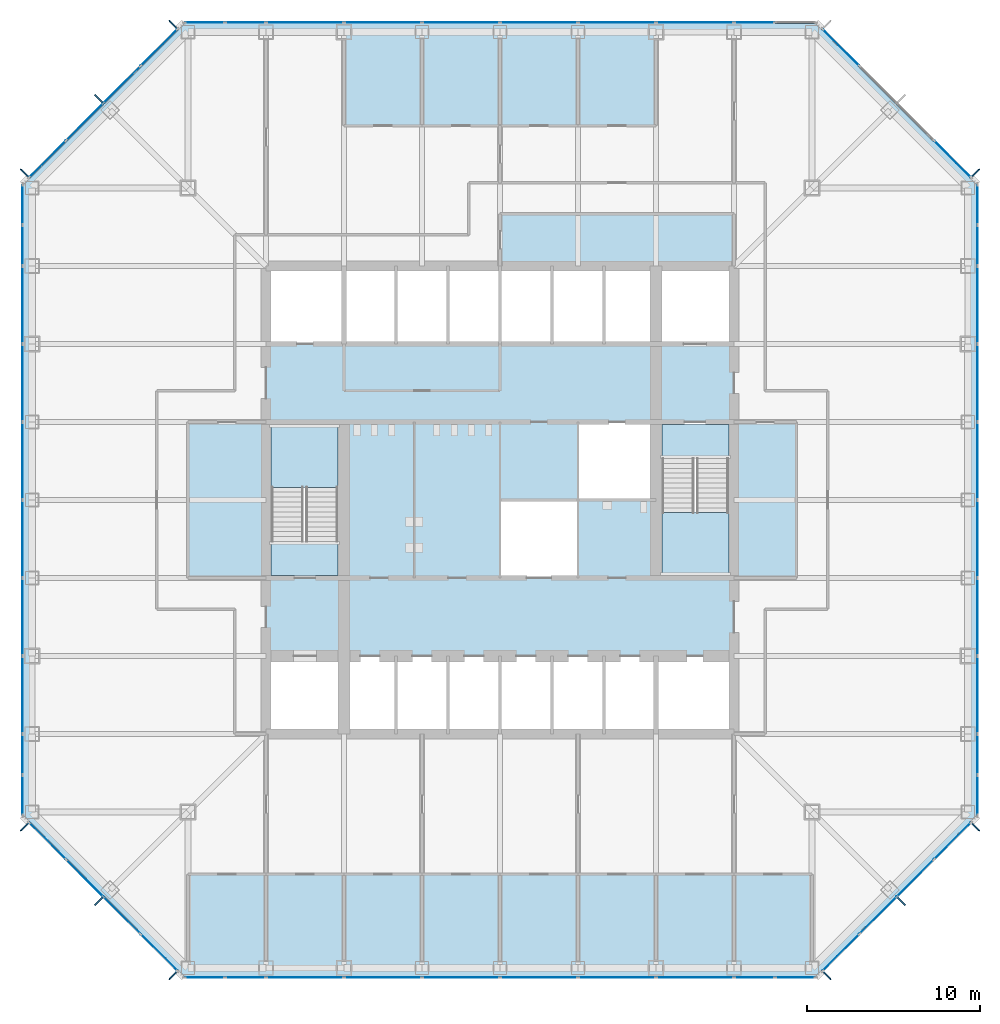
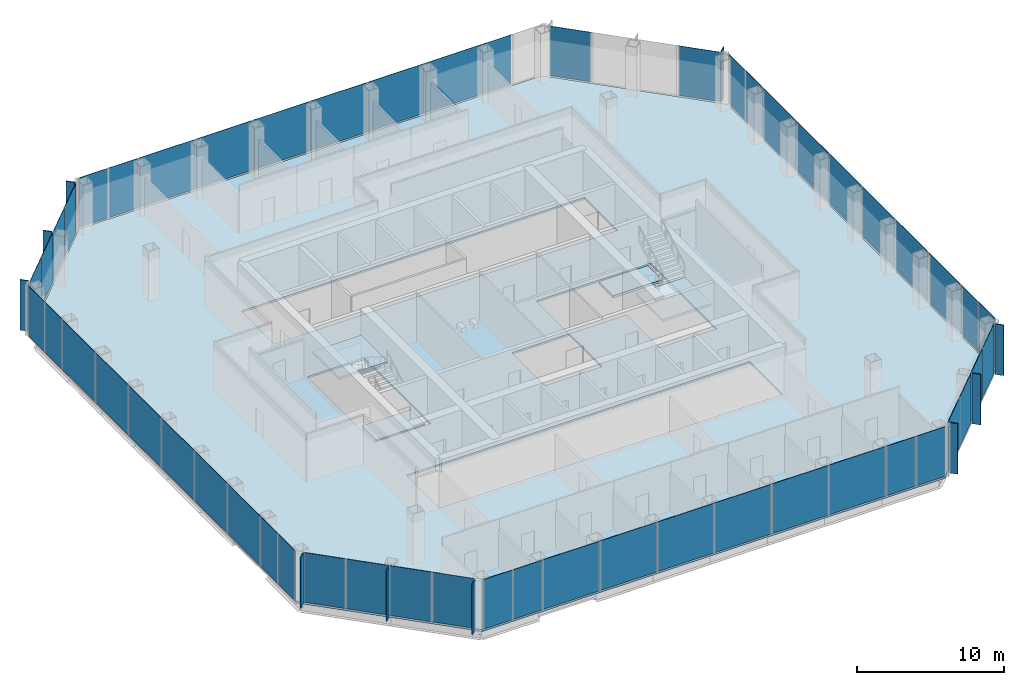
# One storey, part 7 of 13: 63 plates, 5 slabs, 10 elements without a shape of their own.
"""IFC4 building model written with IfcOpenShell, lengths in metres."""

from ifc_helpers import new_model, si_unit, direction, frame, origin, origin_2d, place, context, subcontext, project, spatial, polyline, rectangle, outline, extrude, material, layer, layer_set, type_object, element, aggregate, save


model = new_model("IFC4")

# Units and contexts
model_context = context("Model", 3, precision=1e-05, world=origin(), true_north=direction((0.0, 1.0)))
body_context = subcontext(model_context, "Body", "Model", "MODEL_VIEW")
ifc_project = project(units=[si_unit("LENGTHUNIT", "METRE"), si_unit("AREAUNIT", "SQUARE_METRE"), si_unit("VOLUMEUNIT", "CUBIC_METRE"), si_unit("PLANEANGLEUNIT", "RADIAN"), si_unit("MASSUNIT", "GRAM", prefix="KILO")], contexts=[model_context])

# Site, building, storey
site_placement = place(None, origin())
site = spatial("IfcSite", under=ifc_project, at=site_placement, CompositionType="ELEMENT")
building_placement = place(site_placement, origin())
building = spatial("IfcBuilding", under=site, at=building_placement, Name="Corais Broadcast Tower", CompositionType="ELEMENT")
storey_placement = place(building_placement, frame((0.0, 0.0, 83.60009765625)))
storey = spatial("IfcBuildingStorey", under=building, at=storey_placement, Name="L18", CompositionType="ELEMENT", Elevation=83.60009765625)

# Slab
ifc_material_1 = material(Name="Concrete C30/37", Category="concrete")
ifc_layer_1 = layer(ifc_material_1, 0.159912109375)
ifc_layer_set_1 = layer_set([ifc_layer_1], Name="Concrete C30/37")
slab_type_1 = type_object("IfcSlabType", Name="Composite floor slab 160", PredefinedType="FLOOR", material=ifc_layer_set_1)
slab_1_placement = place(storey_placement, frame((0.0, 0.0, -0.16015625)))
element("IfcSlab", 1, at=slab_1_placement, inside=storey, type_object=slab_type_1, Name="S160 floor slab L18", PredefinedType="FLOOR", context=body_context, shape_type="SweptSolid", body=[
    extrude(outline(polyline([(8.80126953125, -0.47998046875), (-0.47998046875, 8.80126953125), (-0.47998046875, 45.19873046875), (8.80126953125, 54.47998046875), (45.19873046875, 54.47998046875), (54.47998046875, 45.19873046875), (54.47998046875, 8.80126953125), (45.19873046875, -0.47998046875), (8.80126953125, -0.47998046875)]), holes=[polyline([(13.5, 18.0), (40.5, 18.0), (40.5, 13.5), (13.5, 13.5), (13.5, 18.0)]), polyline([(13.5, 22.5), (13.5, 31.5), (18.0, 31.5), (18.0, 22.5), (13.5, 22.5)]), polyline([(13.5, 40.5), (40.5, 40.5), (40.5, 36.0), (13.5, 36.0), (13.5, 40.5)]), polyline([(27.0, 22.5), (27.0, 27.0), (31.4951171875, 27.0), (31.4951171875, 27.0048828125), (31.5, 27.0048828125), (31.5, 31.5), (40.5, 31.5), (40.5, 22.5), (36.0, 22.5), (36.0, 27.0), (31.5048828125, 27.0), (31.5048828125, 26.9951171875), (31.5, 26.9951171875), (31.5, 22.5), (27.0, 22.5)])]), origin(), (0.0, 0.0, 1.0), 0.16015625),
])

# Curtain wall, plates
ifc_material_2 = material(Name="Aluminium and glass", Category="aluminium")
curtain_wall_type = type_object("IfcCurtainWallType", Name="Unitised fritted curtain wall CW1", PredefinedType="NOTDEFINED", material=ifc_material_2)
curtain_wall_1_placement = place(storey_placement, origin())
curtain_wall_1 = element("IfcCurtainWall", 2, at=curtain_wall_1_placement, inside=storey, type_object=curtain_wall_type, Name="CW1 curtain wall L18 1", PredefinedType="NOTDEFINED")
ifc_material_3 = material(Name="Ceramic-fritted laminated glass", Category="glass")
ifc_layer_2 = layer(ifc_material_3, 0.030029296875)
ifc_layer_set_2 = layer_set([ifc_layer_2], Name="Ceramic-fritted laminated glass")
plate_type_1 = type_object("IfcPlateType", Name="Fritted glass panel CW1", PredefinedType="CURTAIN_PANEL", material=ifc_layer_set_2)
plate_1_placement = place(storey_placement, frame((7.330322265625, 0.891845703125, 0.06494140625), z_axis=(0.0, 0.0, 1.0), x_axis=(-0.707106781187, 0.707106781187, 0.0)))
plate_1 = element("IfcPlate", 3, at=plate_1_placement, type_object=plate_type_1, Name="CW1 panel 1", PredefinedType="CURTAIN_PANEL", context=body_context, shape_type="SweptSolid", body=[
    extrude(rectangle(XDim=2.9482421875, YDim=0.030029296875, at=origin_2d()), origin(), (0.0, 0.0, 1.0), 4.135009765625),
])
plate_2_placement = place(storey_placement, frame((3.0341796875, 5.18798828125, 0.06494140625), z_axis=(0.0, 0.0, 1.0), x_axis=(-0.707106781187, 0.707106781187, 0.0)))
plate_2 = element("IfcPlate", 4, at=plate_2_placement, type_object=plate_type_1, Name="CW1 panel 3", PredefinedType="CURTAIN_PANEL", context=body_context, shape_type="SweptSolid", body=[
    extrude(rectangle(XDim=2.98095703125, YDim=0.030029296875, at=origin_2d()), origin(), (0.0, 0.0, 1.0), 4.135009765625),
])

curtain_wall_2_placement = place(storey_placement, origin())
curtain_wall_2 = element("IfcCurtainWall", 5, at=curtain_wall_2_placement, inside=storey, type_object=curtain_wall_type, Name="CW1 curtain wall L18 2", PredefinedType="NOTDEFINED")
plate_3_placement = place(storey_placement, frame((-0.550048828125, 9.970458984375, 0.06494140625), z_axis=(0.0, 0.0, 1.0), x_axis=(0.0, 1.0, 0.0)))
plate_3 = element("IfcPlate", 6, at=plate_3_placement, type_object=plate_type_1, Name="CW1 panel 1", PredefinedType="CURTAIN_PANEL", context=body_context, shape_type="SweptSolid", body=[
    extrude(rectangle(XDim=2.266357421875, YDim=0.030029296875, at=origin_2d()), origin(), (0.0, 0.0, 1.0), 4.135009765625),
])
plate_4_placement = place(storey_placement, frame((-0.550048828125, 15.75, 0.06494140625), z_axis=(0.0, 0.0, 1.0), x_axis=(0.0, 1.0, 0.0)))
plate_4 = element("IfcPlate", 7, at=plate_4_placement, type_object=plate_type_1, Name="CW1 panel 3", PredefinedType="CURTAIN_PANEL", context=body_context, shape_type="SweptSolid", body=[
    extrude(rectangle(XDim=4.43505859375, YDim=0.030029296875, at=origin_2d()), origin(), (0.0, 0.0, 1.0), 4.135009765625),
])
plate_5_placement = place(storey_placement, frame((-0.550048828125, 24.75, 0.06494140625), z_axis=(0.0, 0.0, 1.0), x_axis=(0.0, 1.0, 0.0)))
plate_5 = element("IfcPlate", 8, at=plate_5_placement, type_object=plate_type_1, Name="CW1 panel 5", PredefinedType="CURTAIN_PANEL", context=body_context, shape_type="SweptSolid", body=[
    extrude(rectangle(XDim=4.43505859375, YDim=0.030029296875, at=origin_2d()), origin(), (0.0, 0.0, 1.0), 4.135009765625),
])
plate_6_placement = place(storey_placement, frame((-0.550048828125, 33.75, 0.06494140625), z_axis=(0.0, 0.0, 1.0), x_axis=(0.0, 1.0, 0.0)))
plate_6 = element("IfcPlate", 9, at=plate_6_placement, type_object=plate_type_1, Name="CW1 panel 7", PredefinedType="CURTAIN_PANEL", context=body_context, shape_type="SweptSolid", body=[
    extrude(rectangle(XDim=4.43505859375, YDim=0.030029296875, at=origin_2d()), origin(), (0.0, 0.0, 1.0), 4.135009765625),
])
plate_7_placement = place(storey_placement, frame((-0.550048828125, 41.681884765625, 0.06494140625), z_axis=(0.0, 0.0, 1.0), x_axis=(0.0, 1.0, 0.0)))
plate_7 = element("IfcPlate", 10, at=plate_7_placement, type_object=plate_type_1, Name="CW1 panel 9", PredefinedType="CURTAIN_PANEL", context=body_context, shape_type="SweptSolid", body=[
    extrude(rectangle(XDim=2.298828125, YDim=0.030029296875, at=origin_2d()), origin(), (0.0, 0.0, 1.0), 4.135009765625),
])

curtain_wall_3_placement = place(storey_placement, origin())
curtain_wall_3 = element("IfcCurtainWall", 11, at=curtain_wall_3_placement, inside=storey, type_object=curtain_wall_type, Name="CW1 curtain wall L18 3", PredefinedType="NOTDEFINED")
plate_8_placement = place(storey_placement, frame((0.891845703125, 46.669677734375, 0.06494140625), z_axis=(0.0, 0.0, 1.0), x_axis=(0.707106781187, 0.707106781187, 0.0)))
plate_8 = element("IfcPlate", 12, at=plate_8_placement, type_object=plate_type_1, Name="CW1 panel 1", PredefinedType="CURTAIN_PANEL", context=body_context, shape_type="SweptSolid", body=[
    extrude(rectangle(XDim=2.9482421875, YDim=0.030029296875, at=origin_2d()), origin(), (0.0, 0.0, 1.0), 4.135009765625),
])
plate_9_placement = place(storey_placement, frame((5.18798828125, 50.9658203125, 0.06494140625), z_axis=(0.0, 0.0, 1.0), x_axis=(0.707106781187, 0.707106781187, 0.0)))
plate_9 = element("IfcPlate", 13, at=plate_9_placement, type_object=plate_type_1, Name="CW1 panel 3", PredefinedType="CURTAIN_PANEL", context=body_context, shape_type="SweptSolid", body=[
    extrude(rectangle(XDim=2.98095703125, YDim=0.030029296875, at=origin_2d()), origin(), (0.0, 0.0, 1.0), 4.135009765625),
])

curtain_wall_4_placement = place(storey_placement, origin())
curtain_wall_4 = element("IfcCurtainWall", 14, at=curtain_wall_4_placement, inside=storey, type_object=curtain_wall_type, Name="CW1 curtain wall L18 4", PredefinedType="NOTDEFINED")
plate_10_placement = place(storey_placement, frame((9.970458984375, 54.550048828125, 0.06494140625), z_axis=(0.0, 0.0, 1.0), x_axis=(1.0, 0.0, 0.0)))
plate_10 = element("IfcPlate", 15, at=plate_10_placement, type_object=plate_type_1, Name="CW1 panel 1", PredefinedType="CURTAIN_PANEL", context=body_context, shape_type="SweptSolid", body=[
    extrude(rectangle(XDim=2.266357421875, YDim=0.030029296875, at=origin_2d()), origin(), (0.0, 0.0, 1.0), 4.135009765625),
])
plate_11_placement = place(storey_placement, frame((15.75, 54.550048828125, 0.06494140625), z_axis=(0.0, 0.0, 1.0), x_axis=(1.0, 0.0, 0.0)))
plate_11 = element("IfcPlate", 16, at=plate_11_placement, type_object=plate_type_1, Name="CW1 panel 3", PredefinedType="CURTAIN_PANEL", context=body_context, shape_type="SweptSolid", body=[
    extrude(rectangle(XDim=4.43505859375, YDim=0.030029296875, at=origin_2d()), origin(), (0.0, 0.0, 1.0), 4.135009765625),
])
plate_12_placement = place(storey_placement, frame((24.75, 54.550048828125, 0.06494140625), z_axis=(0.0, 0.0, 1.0), x_axis=(1.0, 0.0, 0.0)))
plate_12 = element("IfcPlate", 17, at=plate_12_placement, type_object=plate_type_1, Name="CW1 panel 5", PredefinedType="CURTAIN_PANEL", context=body_context, shape_type="SweptSolid", body=[
    extrude(rectangle(XDim=4.43505859375, YDim=0.030029296875, at=origin_2d()), origin(), (0.0, 0.0, 1.0), 4.135009765625),
])
plate_13_placement = place(storey_placement, frame((33.75, 54.550048828125, 0.06494140625), z_axis=(0.0, 0.0, 1.0), x_axis=(1.0, 0.0, 0.0)))
plate_13 = element("IfcPlate", 18, at=plate_13_placement, type_object=plate_type_1, Name="CW1 panel 7", PredefinedType="CURTAIN_PANEL", context=body_context, shape_type="SweptSolid", body=[
    extrude(rectangle(XDim=4.43505859375, YDim=0.030029296875, at=origin_2d()), origin(), (0.0, 0.0, 1.0), 4.135009765625),
])
plate_14_placement = place(storey_placement, frame((41.681884765625, 54.550048828125, 0.06494140625), z_axis=(0.0, 0.0, 1.0), x_axis=(1.0, 0.0, 0.0)))
plate_14 = element("IfcPlate", 19, at=plate_14_placement, type_object=plate_type_1, Name="CW1 panel 9", PredefinedType="CURTAIN_PANEL", context=body_context, shape_type="SweptSolid", body=[
    extrude(rectangle(XDim=2.298828125, YDim=0.030029296875, at=origin_2d()), origin(), (0.0, 0.0, 1.0), 4.135009765625),
])

# Curtain wall, plate
curtain_wall_5_placement = place(storey_placement, origin())
curtain_wall_5 = element("IfcCurtainWall", 20, at=curtain_wall_5_placement, inside=storey, type_object=curtain_wall_type, Name="CW1 curtain wall L18 5", PredefinedType="NOTDEFINED")
plate_15_placement = place(storey_placement, frame((46.669677734375, 53.108154296875, 0.06494140625), z_axis=(0.0, 0.0, 1.0), x_axis=(0.707106781187, -0.707106781187, 0.0)))
plate_15 = element("IfcPlate", 21, at=plate_15_placement, type_object=plate_type_1, Name="CW1 panel 1", PredefinedType="CURTAIN_PANEL", context=body_context, shape_type="SweptSolid", body=[
    extrude(rectangle(XDim=2.9482421875, YDim=0.030029296875, at=origin_2d()), origin(), (0.0, 0.0, 1.0), 4.135009765625),
])

# Curtain wall, plates
curtain_wall_6_placement = place(storey_placement, origin())
curtain_wall_6 = element("IfcCurtainWall", 22, at=curtain_wall_6_placement, inside=storey, type_object=curtain_wall_type, Name="CW1 curtain wall L18 6", PredefinedType="NOTDEFINED")
plate_16_placement = place(storey_placement, frame((54.550048828125, 44.029541015625, 0.06494140625), z_axis=(0.0, 0.0, 1.0), x_axis=(0.0, -1.0, 0.0)))
plate_16 = element("IfcPlate", 23, at=plate_16_placement, type_object=plate_type_1, Name="CW1 panel 1", PredefinedType="CURTAIN_PANEL", context=body_context, shape_type="SweptSolid", body=[
    extrude(rectangle(XDim=2.266357421875, YDim=0.030029296875, at=origin_2d()), origin(), (0.0, 0.0, 1.0), 4.135009765625),
])
plate_17_placement = place(storey_placement, frame((54.550048828125, 38.25, 0.06494140625), z_axis=(0.0, 0.0, 1.0), x_axis=(0.0, -1.0, 0.0)))
plate_17 = element("IfcPlate", 24, at=plate_17_placement, type_object=plate_type_1, Name="CW1 panel 3", PredefinedType="CURTAIN_PANEL", context=body_context, shape_type="SweptSolid", body=[
    extrude(rectangle(XDim=4.43505859375, YDim=0.030029296875, at=origin_2d()), origin(), (0.0, 0.0, 1.0), 4.135009765625),
])
plate_18_placement = place(storey_placement, frame((54.550048828125, 29.25, 0.06494140625), z_axis=(0.0, 0.0, 1.0), x_axis=(0.0, -1.0, 0.0)))
plate_18 = element("IfcPlate", 25, at=plate_18_placement, type_object=plate_type_1, Name="CW1 panel 5", PredefinedType="CURTAIN_PANEL", context=body_context, shape_type="SweptSolid", body=[
    extrude(rectangle(XDim=4.43505859375, YDim=0.030029296875, at=origin_2d()), origin(), (0.0, 0.0, 1.0), 4.135009765625),
])
plate_19_placement = place(storey_placement, frame((54.550048828125, 20.25, 0.06494140625), z_axis=(0.0, 0.0, 1.0), x_axis=(0.0, -1.0, 0.0)))
plate_19 = element("IfcPlate", 26, at=plate_19_placement, type_object=plate_type_1, Name="CW1 panel 7", PredefinedType="CURTAIN_PANEL", context=body_context, shape_type="SweptSolid", body=[
    extrude(rectangle(XDim=4.43505859375, YDim=0.030029296875, at=origin_2d()), origin(), (0.0, 0.0, 1.0), 4.135009765625),
])
plate_20_placement = place(storey_placement, frame((54.550048828125, 12.318115234375, 0.06494140625), z_axis=(0.0, 0.0, 1.0), x_axis=(0.0, -1.0, 0.0)))
plate_20 = element("IfcPlate", 27, at=plate_20_placement, type_object=plate_type_1, Name="CW1 panel 9", PredefinedType="CURTAIN_PANEL", context=body_context, shape_type="SweptSolid", body=[
    extrude(rectangle(XDim=2.298828125, YDim=0.030029296875, at=origin_2d()), origin(), (0.0, 0.0, 1.0), 4.135009765625),
])

curtain_wall_7_placement = place(storey_placement, origin())
curtain_wall_7 = element("IfcCurtainWall", 28, at=curtain_wall_7_placement, inside=storey, type_object=curtain_wall_type, Name="CW1 curtain wall L18 7", PredefinedType="NOTDEFINED")
plate_21_placement = place(storey_placement, frame((53.108154296875, 7.330322265625, 0.06494140625), z_axis=(0.0, 0.0, 1.0), x_axis=(-0.707106781187, -0.707106781187, 0.0)))
plate_21 = element("IfcPlate", 29, at=plate_21_placement, type_object=plate_type_1, Name="CW1 panel 1", PredefinedType="CURTAIN_PANEL", context=body_context, shape_type="SweptSolid", body=[
    extrude(rectangle(XDim=2.9482421875, YDim=0.030029296875, at=origin_2d()), origin(), (0.0, 0.0, 1.0), 4.135009765625),
])
plate_22_placement = place(storey_placement, frame((48.81201171875, 3.0341796875, 0.06494140625), z_axis=(0.0, 0.0, 1.0), x_axis=(-0.707106781187, -0.707106781187, 0.0)))
plate_22 = element("IfcPlate", 30, at=plate_22_placement, type_object=plate_type_1, Name="CW1 panel 3", PredefinedType="CURTAIN_PANEL", context=body_context, shape_type="SweptSolid", body=[
    extrude(rectangle(XDim=2.98095703125, YDim=0.030029296875, at=origin_2d()), origin(), (0.0, 0.0, 1.0), 4.135009765625),
])

curtain_wall_8_placement = place(storey_placement, origin())
curtain_wall_8 = element("IfcCurtainWall", 31, at=curtain_wall_8_placement, inside=storey, type_object=curtain_wall_type, Name="CW1 curtain wall L18 8", PredefinedType="NOTDEFINED")
plate_23_placement = place(storey_placement, frame((44.029541015625, -0.550048828125, 0.06494140625), z_axis=(0.0, 0.0, 1.0), x_axis=(-1.0, 0.0, 0.0)))
plate_23 = element("IfcPlate", 32, at=plate_23_placement, type_object=plate_type_1, Name="CW1 panel 1", PredefinedType="CURTAIN_PANEL", context=body_context, shape_type="SweptSolid", body=[
    extrude(rectangle(XDim=2.266357421875, YDim=0.030029296875, at=origin_2d()), origin(), (0.0, 0.0, 1.0), 4.135009765625),
])
plate_24_placement = place(storey_placement, frame((38.25, -0.550048828125, 0.06494140625), z_axis=(0.0, 0.0, 1.0), x_axis=(-1.0, 0.0, 0.0)))
plate_24 = element("IfcPlate", 33, at=plate_24_placement, type_object=plate_type_1, Name="CW1 panel 3", PredefinedType="CURTAIN_PANEL", context=body_context, shape_type="SweptSolid", body=[
    extrude(rectangle(XDim=4.43505859375, YDim=0.030029296875, at=origin_2d()), origin(), (0.0, 0.0, 1.0), 4.135009765625),
])
plate_25_placement = place(storey_placement, frame((29.25, -0.550048828125, 0.06494140625), z_axis=(0.0, 0.0, 1.0), x_axis=(-1.0, 0.0, 0.0)))
plate_25 = element("IfcPlate", 34, at=plate_25_placement, type_object=plate_type_1, Name="CW1 panel 5", PredefinedType="CURTAIN_PANEL", context=body_context, shape_type="SweptSolid", body=[
    extrude(rectangle(XDim=4.43505859375, YDim=0.030029296875, at=origin_2d()), origin(), (0.0, 0.0, 1.0), 4.135009765625),
])
plate_26_placement = place(storey_placement, frame((20.25, -0.550048828125, 0.06494140625), z_axis=(0.0, 0.0, 1.0), x_axis=(-1.0, 0.0, 0.0)))
plate_26 = element("IfcPlate", 35, at=plate_26_placement, type_object=plate_type_1, Name="CW1 panel 7", PredefinedType="CURTAIN_PANEL", context=body_context, shape_type="SweptSolid", body=[
    extrude(rectangle(XDim=4.43505859375, YDim=0.030029296875, at=origin_2d()), origin(), (0.0, 0.0, 1.0), 4.135009765625),
])
plate_27_placement = place(storey_placement, frame((12.318115234375, -0.550048828125, 0.06494140625), z_axis=(0.0, 0.0, 1.0), x_axis=(-1.0, 0.0, 0.0)))
plate_27 = element("IfcPlate", 36, at=plate_27_placement, type_object=plate_type_1, Name="CW1 panel 9", PredefinedType="CURTAIN_PANEL", context=body_context, shape_type="SweptSolid", body=[
    extrude(rectangle(XDim=2.298828125, YDim=0.030029296875, at=origin_2d()), origin(), (0.0, 0.0, 1.0), 4.135009765625),
])

# Plate
ifc_material_4 = material(Name="Clear laminated glass", Category="glass")
ifc_layer_3 = layer(ifc_material_4, 0.033935546875)
ifc_layer_set_3 = layer_set([ifc_layer_3], Name="Clear laminated glass")
plate_type_2 = type_object("IfcPlateType", Name="Operable glass panel CW1", PredefinedType="CURTAIN_PANEL", material=ifc_layer_set_3)
plate_28_placement = place(storey_placement, frame((5.18798828125, 3.0341796875, 0.06494140625), z_axis=(0.0, 0.0, 1.0), x_axis=(-0.707106781187, 0.707106781187, 0.0)))
plate_28 = element("IfcPlate", 37, at=plate_28_placement, type_object=plate_type_2, Name="CW1 operable panel 2", PredefinedType="CURTAIN_PANEL", context=body_context, shape_type="SweptSolid", body=[
    extrude(rectangle(XDim=2.98095703125, YDim=0.033935546875, at=origin_2d()), origin(), (0.0, 0.0, 1.0), 4.135009765625),
])

plate_29_placement = place(storey_placement, frame((0.89208984375, 7.330322265625, 0.06494140625), z_axis=(0.0, 0.0, 1.0), x_axis=(-0.707106781187, 0.707106781187, 0.0)))
plate_29 = element("IfcPlate", 38, at=plate_29_placement, type_object=plate_type_2, Name="CW1 operable panel 4", PredefinedType="CURTAIN_PANEL", context=body_context, shape_type="SweptSolid", body=[
    extrude(rectangle(XDim=2.948486328125, YDim=0.033935546875, at=origin_2d()), origin(), (0.0, 0.0, 1.0), 4.135009765625),
])

aggregate(curtain_wall_1, [plate_1, plate_28, plate_2, plate_29])

plate_30_placement = place(storey_placement, frame((-0.550048828125, 12.318115234375, 0.06494140625), z_axis=(0.0, 0.0, 1.0), x_axis=(0.0, 1.0, 0.0)))
plate_30 = element("IfcPlate", 39, at=plate_30_placement, type_object=plate_type_2, Name="CW1 operable panel 2", PredefinedType="CURTAIN_PANEL", context=body_context, shape_type="SweptSolid", body=[
    extrude(rectangle(XDim=2.298828125, YDim=0.033935546875, at=origin_2d()), origin(), (0.0, 0.0, 1.0), 4.135009765625),
])

plate_31_placement = place(storey_placement, frame((-0.550048828125, 20.25, 0.06494140625), z_axis=(0.0, 0.0, 1.0), x_axis=(0.0, 1.0, 0.0)))
plate_31 = element("IfcPlate", 40, at=plate_31_placement, type_object=plate_type_2, Name="CW1 operable panel 4", PredefinedType="CURTAIN_PANEL", context=body_context, shape_type="SweptSolid", body=[
    extrude(rectangle(XDim=4.43505859375, YDim=0.033935546875, at=origin_2d()), origin(), (0.0, 0.0, 1.0), 4.135009765625),
])

plate_32_placement = place(storey_placement, frame((-0.550048828125, 29.25, 0.06494140625), z_axis=(0.0, 0.0, 1.0), x_axis=(0.0, 1.0, 0.0)))
plate_32 = element("IfcPlate", 41, at=plate_32_placement, type_object=plate_type_2, Name="CW1 operable panel 6", PredefinedType="CURTAIN_PANEL", context=body_context, shape_type="SweptSolid", body=[
    extrude(rectangle(XDim=4.43505859375, YDim=0.033935546875, at=origin_2d()), origin(), (0.0, 0.0, 1.0), 4.135009765625),
])

plate_33_placement = place(storey_placement, frame((-0.550048828125, 38.25, 0.06494140625), z_axis=(0.0, 0.0, 1.0), x_axis=(0.0, 1.0, 0.0)))
plate_33 = element("IfcPlate", 42, at=plate_33_placement, type_object=plate_type_2, Name="CW1 operable panel 8", PredefinedType="CURTAIN_PANEL", context=body_context, shape_type="SweptSolid", body=[
    extrude(rectangle(XDim=4.43505859375, YDim=0.033935546875, at=origin_2d()), origin(), (0.0, 0.0, 1.0), 4.135009765625),
])

plate_34_placement = place(storey_placement, frame((-0.550048828125, 44.029541015625, 0.06494140625), z_axis=(0.0, 0.0, 1.0), x_axis=(0.0, 1.0, 0.0)))
plate_34 = element("IfcPlate", 43, at=plate_34_placement, type_object=plate_type_2, Name="CW1 operable panel 10", PredefinedType="CURTAIN_PANEL", context=body_context, shape_type="SweptSolid", body=[
    extrude(rectangle(XDim=2.266357421875, YDim=0.033935546875, at=origin_2d()), origin(), (0.0, 0.0, 1.0), 4.135009765625),
])

aggregate(curtain_wall_2, [plate_3, plate_30, plate_4, plate_31, plate_5, plate_32, plate_6, plate_33, plate_7, plate_34])

plate_35_placement = place(storey_placement, frame((3.0341796875, 48.81201171875, 0.06494140625), z_axis=(0.0, 0.0, 1.0), x_axis=(0.707106781187, 0.707106781187, 0.0)))
plate_35 = element("IfcPlate", 44, at=plate_35_placement, type_object=plate_type_2, Name="CW1 operable panel 2", PredefinedType="CURTAIN_PANEL", context=body_context, shape_type="SweptSolid", body=[
    extrude(rectangle(XDim=2.98095703125, YDim=0.033935546875, at=origin_2d()), origin(), (0.0, 0.0, 1.0), 4.135009765625),
])

plate_36_placement = place(storey_placement, frame((7.330322265625, 53.10791015625, 0.06494140625), z_axis=(0.0, 0.0, 1.0), x_axis=(0.707106781187, 0.707106781187, 0.0)))
plate_36 = element("IfcPlate", 45, at=plate_36_placement, type_object=plate_type_2, Name="CW1 operable panel 4", PredefinedType="CURTAIN_PANEL", context=body_context, shape_type="SweptSolid", body=[
    extrude(rectangle(XDim=2.948486328125, YDim=0.033935546875, at=origin_2d()), origin(), (0.0, 0.0, 1.0), 4.135009765625),
])

aggregate(curtain_wall_3, [plate_8, plate_35, plate_9, plate_36])

plate_37_placement = place(storey_placement, frame((12.318115234375, 54.550048828125, 0.06494140625), z_axis=(0.0, 0.0, 1.0), x_axis=(1.0, 0.0, 0.0)))
plate_37 = element("IfcPlate", 46, at=plate_37_placement, type_object=plate_type_2, Name="CW1 operable panel 2", PredefinedType="CURTAIN_PANEL", context=body_context, shape_type="SweptSolid", body=[
    extrude(rectangle(XDim=2.298828125, YDim=0.033935546875, at=origin_2d()), origin(), (0.0, 0.0, 1.0), 4.135009765625),
])

plate_38_placement = place(storey_placement, frame((20.25, 54.550048828125, 0.06494140625), z_axis=(0.0, 0.0, 1.0), x_axis=(1.0, 0.0, 0.0)))
plate_38 = element("IfcPlate", 47, at=plate_38_placement, type_object=plate_type_2, Name="CW1 operable panel 4", PredefinedType="CURTAIN_PANEL", context=body_context, shape_type="SweptSolid", body=[
    extrude(rectangle(XDim=4.43505859375, YDim=0.033935546875, at=origin_2d()), origin(), (0.0, 0.0, 1.0), 4.135009765625),
])

plate_39_placement = place(storey_placement, frame((29.25, 54.550048828125, 0.06494140625), z_axis=(0.0, 0.0, 1.0), x_axis=(1.0, 0.0, 0.0)))
plate_39 = element("IfcPlate", 48, at=plate_39_placement, type_object=plate_type_2, Name="CW1 operable panel 6", PredefinedType="CURTAIN_PANEL", context=body_context, shape_type="SweptSolid", body=[
    extrude(rectangle(XDim=4.43505859375, YDim=0.033935546875, at=origin_2d()), origin(), (0.0, 0.0, 1.0), 4.135009765625),
])

plate_40_placement = place(storey_placement, frame((38.25, 54.550048828125, 0.06494140625), z_axis=(0.0, 0.0, 1.0), x_axis=(1.0, 0.0, 0.0)))
plate_40 = element("IfcPlate", 49, at=plate_40_placement, type_object=plate_type_2, Name="CW1 operable panel 8", PredefinedType="CURTAIN_PANEL", context=body_context, shape_type="SweptSolid", body=[
    extrude(rectangle(XDim=4.43505859375, YDim=0.033935546875, at=origin_2d()), origin(), (0.0, 0.0, 1.0), 4.135009765625),
])

aggregate(curtain_wall_4, [plate_10, plate_37, plate_11, plate_38, plate_12, plate_39, plate_13, plate_40, plate_14])

plate_41_placement = place(storey_placement, frame((53.10791015625, 46.669677734375, 0.06494140625), z_axis=(0.0, 0.0, 1.0), x_axis=(0.707106781187, -0.707106781187, 0.0)))
plate_41 = element("IfcPlate", 50, at=plate_41_placement, type_object=plate_type_2, Name="CW1 operable panel 4", PredefinedType="CURTAIN_PANEL", context=body_context, shape_type="SweptSolid", body=[
    extrude(rectangle(XDim=2.948486328125, YDim=0.033935546875, at=origin_2d()), origin(), (0.0, 0.0, 1.0), 4.135009765625),
])

aggregate(curtain_wall_5, [plate_15, plate_41])

plate_42_placement = place(storey_placement, frame((54.550048828125, 41.681884765625, 0.06494140625), z_axis=(0.0, 0.0, 1.0), x_axis=(0.0, -1.0, 0.0)))
plate_42 = element("IfcPlate", 51, at=plate_42_placement, type_object=plate_type_2, Name="CW1 operable panel 2", PredefinedType="CURTAIN_PANEL", context=body_context, shape_type="SweptSolid", body=[
    extrude(rectangle(XDim=2.298828125, YDim=0.033935546875, at=origin_2d()), origin(), (0.0, 0.0, 1.0), 4.135009765625),
])

plate_43_placement = place(storey_placement, frame((54.550048828125, 33.75, 0.06494140625), z_axis=(0.0, 0.0, 1.0), x_axis=(0.0, -1.0, 0.0)))
plate_43 = element("IfcPlate", 52, at=plate_43_placement, type_object=plate_type_2, Name="CW1 operable panel 4", PredefinedType="CURTAIN_PANEL", context=body_context, shape_type="SweptSolid", body=[
    extrude(rectangle(XDim=4.43505859375, YDim=0.033935546875, at=origin_2d()), origin(), (0.0, 0.0, 1.0), 4.135009765625),
])

plate_44_placement = place(storey_placement, frame((54.550048828125, 24.75, 0.06494140625), z_axis=(0.0, 0.0, 1.0), x_axis=(0.0, -1.0, 0.0)))
plate_44 = element("IfcPlate", 53, at=plate_44_placement, type_object=plate_type_2, Name="CW1 operable panel 6", PredefinedType="CURTAIN_PANEL", context=body_context, shape_type="SweptSolid", body=[
    extrude(rectangle(XDim=4.43505859375, YDim=0.033935546875, at=origin_2d()), origin(), (0.0, 0.0, 1.0), 4.135009765625),
])

plate_45_placement = place(storey_placement, frame((54.550048828125, 15.75, 0.06494140625), z_axis=(0.0, 0.0, 1.0), x_axis=(0.0, -1.0, 0.0)))
plate_45 = element("IfcPlate", 54, at=plate_45_placement, type_object=plate_type_2, Name="CW1 operable panel 8", PredefinedType="CURTAIN_PANEL", context=body_context, shape_type="SweptSolid", body=[
    extrude(rectangle(XDim=4.43505859375, YDim=0.033935546875, at=origin_2d()), origin(), (0.0, 0.0, 1.0), 4.135009765625),
])

plate_46_placement = place(storey_placement, frame((54.550048828125, 9.970458984375, 0.06494140625), z_axis=(0.0, 0.0, 1.0), x_axis=(0.0, -1.0, 0.0)))
plate_46 = element("IfcPlate", 55, at=plate_46_placement, type_object=plate_type_2, Name="CW1 operable panel 10", PredefinedType="CURTAIN_PANEL", context=body_context, shape_type="SweptSolid", body=[
    extrude(rectangle(XDim=2.266357421875, YDim=0.033935546875, at=origin_2d()), origin(), (0.0, 0.0, 1.0), 4.135009765625),
])

aggregate(curtain_wall_6, [plate_16, plate_42, plate_17, plate_43, plate_18, plate_44, plate_19, plate_45, plate_20, plate_46])

plate_47_placement = place(storey_placement, frame((50.9658203125, 5.18798828125, 0.06494140625), z_axis=(0.0, 0.0, 1.0), x_axis=(-0.707106781187, -0.707106781187, 0.0)))
plate_47 = element("IfcPlate", 56, at=plate_47_placement, type_object=plate_type_2, Name="CW1 operable panel 2", PredefinedType="CURTAIN_PANEL", context=body_context, shape_type="SweptSolid", body=[
    extrude(rectangle(XDim=2.98095703125, YDim=0.033935546875, at=origin_2d()), origin(), (0.0, 0.0, 1.0), 4.135009765625),
])

plate_48_placement = place(storey_placement, frame((46.669677734375, 0.89208984375, 0.06494140625), z_axis=(0.0, 0.0, 1.0), x_axis=(-0.707106781187, -0.707106781187, 0.0)))
plate_48 = element("IfcPlate", 57, at=plate_48_placement, type_object=plate_type_2, Name="CW1 operable panel 4", PredefinedType="CURTAIN_PANEL", context=body_context, shape_type="SweptSolid", body=[
    extrude(rectangle(XDim=2.948486328125, YDim=0.033935546875, at=origin_2d()), origin(), (0.0, 0.0, 1.0), 4.135009765625),
])

aggregate(curtain_wall_7, [plate_21, plate_47, plate_22, plate_48])

plate_49_placement = place(storey_placement, frame((41.681884765625, -0.550048828125, 0.06494140625), z_axis=(0.0, 0.0, 1.0), x_axis=(-1.0, 0.0, 0.0)))
plate_49 = element("IfcPlate", 58, at=plate_49_placement, type_object=plate_type_2, Name="CW1 operable panel 2", PredefinedType="CURTAIN_PANEL", context=body_context, shape_type="SweptSolid", body=[
    extrude(rectangle(XDim=2.298828125, YDim=0.033935546875, at=origin_2d()), origin(), (0.0, 0.0, 1.0), 4.135009765625),
])

plate_50_placement = place(storey_placement, frame((33.75, -0.550048828125, 0.06494140625), z_axis=(0.0, 0.0, 1.0), x_axis=(-1.0, 0.0, 0.0)))
plate_50 = element("IfcPlate", 59, at=plate_50_placement, type_object=plate_type_2, Name="CW1 operable panel 4", PredefinedType="CURTAIN_PANEL", context=body_context, shape_type="SweptSolid", body=[
    extrude(rectangle(XDim=4.43505859375, YDim=0.033935546875, at=origin_2d()), origin(), (0.0, 0.0, 1.0), 4.135009765625),
])

plate_51_placement = place(storey_placement, frame((24.75, -0.550048828125, 0.06494140625), z_axis=(0.0, 0.0, 1.0), x_axis=(-1.0, 0.0, 0.0)))
plate_51 = element("IfcPlate", 60, at=plate_51_placement, type_object=plate_type_2, Name="CW1 operable panel 6", PredefinedType="CURTAIN_PANEL", context=body_context, shape_type="SweptSolid", body=[
    extrude(rectangle(XDim=4.43505859375, YDim=0.033935546875, at=origin_2d()), origin(), (0.0, 0.0, 1.0), 4.135009765625),
])

plate_52_placement = place(storey_placement, frame((15.75, -0.550048828125, 0.06494140625), z_axis=(0.0, 0.0, 1.0), x_axis=(-1.0, 0.0, 0.0)))
plate_52 = element("IfcPlate", 61, at=plate_52_placement, type_object=plate_type_2, Name="CW1 operable panel 8", PredefinedType="CURTAIN_PANEL", context=body_context, shape_type="SweptSolid", body=[
    extrude(rectangle(XDim=4.43505859375, YDim=0.033935546875, at=origin_2d()), origin(), (0.0, 0.0, 1.0), 4.135009765625),
])

plate_53_placement = place(storey_placement, frame((9.970458984375, -0.550048828125, 0.06494140625), z_axis=(0.0, 0.0, 1.0), x_axis=(-1.0, 0.0, 0.0)))
plate_53 = element("IfcPlate", 62, at=plate_53_placement, type_object=plate_type_2, Name="CW1 operable panel 10", PredefinedType="CURTAIN_PANEL", context=body_context, shape_type="SweptSolid", body=[
    extrude(rectangle(XDim=2.266357421875, YDim=0.033935546875, at=origin_2d()), origin(), (0.0, 0.0, 1.0), 4.135009765625),
])

aggregate(curtain_wall_8, [plate_23, plate_49, plate_24, plate_50, plate_25, plate_51, plate_26, plate_52, plate_27, plate_53])

# Stair, slabs
ifc_material_5 = material(Name="Concrete C30/37", Category="concrete")
stair_type = type_object("IfcStairType", Name="Half-turn stair 4200", PredefinedType="HALF_TURN_STAIR", material=ifc_material_5)
stair_1_placement = place(storey_placement, origin())
stair_1 = element("IfcStair", 63, at=stair_1_placement, inside=storey, type_object=stair_type, Name="Stair A L18", PredefinedType="HALF_TURN_STAIR")
ifc_material_6 = material(Name="Concrete C30/37", Category="concrete")
ifc_layer_4 = layer(ifc_material_6, 0.199951171875)
ifc_layer_set_4 = layer_set([ifc_layer_4], Name="Concrete C30/37")
slab_type_2 = type_object("IfcSlabType", Name="Stair landing 200", PredefinedType="LANDING", material=ifc_layer_set_4)
slab_2_placement = place(storey_placement, frame((0.0, 0.0, -0.2001953125)))
slab_2 = element("IfcSlab", 64, at=slab_2_placement, type_object=slab_type_2, Name="STA landing 1", PredefinedType="LANDING", context=body_context, shape_type="SweptSolid", body=[
    extrude(outline(polyline([(13.800048828125, 22.64990234375), (17.64990234375, 22.64990234375), (17.64990234375, 24.60009765625), (13.800048828125, 24.60009765625), (13.800048828125, 22.64990234375)])), origin(), (0.0, 0.0, 1.0), 0.2001953125),
])
slab_3_placement = place(storey_placement, frame((0.0, 0.0, 1.89990234375)))
slab_3 = element("IfcSlab", 65, at=slab_3_placement, type_object=slab_type_2, Name="STA landing 2", PredefinedType="LANDING", context=body_context, shape_type="SweptSolid", body=[
    extrude(outline(polyline([(13.800048828125, 27.735107421875), (17.64990234375, 27.735107421875), (17.64990234375, 31.35009765625), (13.800048828125, 31.35009765625), (13.800048828125, 27.735107421875)])), origin(), (0.0, 0.0, 1.0), 0.199951171875),
])
aggregate(stair_1, [slab_2, slab_3])

stair_2_placement = place(storey_placement, origin())
stair_2 = element("IfcStair", 66, at=stair_2_placement, inside=storey, type_object=stair_type, Name="Stair B L18", PredefinedType="HALF_TURN_STAIR")
slab_4_placement = place(storey_placement, frame((0.0, 0.0, -0.2001953125)))
slab_4 = element("IfcSlab", 67, at=slab_4_placement, type_object=slab_type_2, Name="STB landing 1", PredefinedType="LANDING", context=body_context, shape_type="SweptSolid", body=[
    extrude(outline(polyline([(36.35009765625, 29.39990234375), (40.199951171875, 29.39990234375), (40.199951171875, 31.35009765625), (36.35009765625, 31.35009765625), (36.35009765625, 29.39990234375)])), origin(), (0.0, 0.0, 1.0), 0.2001953125),
])
slab_5_placement = place(storey_placement, frame((0.0, 0.0, 1.89990234375)))
slab_5 = element("IfcSlab", 68, at=slab_5_placement, type_object=slab_type_2, Name="STB landing 2", PredefinedType="LANDING", context=body_context, shape_type="SweptSolid", body=[
    extrude(outline(polyline([(36.35009765625, 22.64990234375), (40.199951171875, 22.64990234375), (40.199951171875, 26.264892578125), (36.35009765625, 26.264892578125), (36.35009765625, 22.64990234375)])), origin(), (0.0, 0.0, 1.0), 0.199951171875),
])
aggregate(stair_2, [slab_4, slab_5])

# Plates
ifc_material_7 = material(Name="Granite stone cladding", Category="masonry")
ifc_layer_5 = layer(ifc_material_7, 0.080078125)
ifc_layer_set_5 = layer_set([ifc_layer_5], Name="Granite stone cladding")
plate_type_3 = type_object("IfcPlateType", Name="Stone screen fin 80x600", PredefinedType="USERDEFINED", material=ifc_layer_set_5)
for number, where, z_axis, x_axis, name in (
    (69, (8.114990234375, -0.4541015625, 0.0), (0.0, 0.0, 1.0), (-0.707106781187, 0.707106781187, 0.0), "SF1 stone screen fin L18"),
    (70, (3.830322265625, 3.830322265625, 0.0), (0.0, 0.0, 1.0), (-0.707106781187, 0.707106781187, 0.0), "SF1 stone screen fin L18"),
    (71, (-0.4541015625, 8.114990234375, 0.0), (0.0, 0.0, 1.0), (-0.707106781187, 0.707106781187, 0.0), "SF1 stone screen fin L18"),
    (72, (-0.4541015625, 45.885009765625, 0.0), (0.0, 0.0, 1.0), (0.707106781187, 0.707106781187, 0.0), "SF1 stone screen fin L18"),
    (73, (3.830322265625, 50.169677734375, 0.0), (0.0, 0.0, 1.0), (0.707106781187, 0.707106781187, 0.0), "SF1 stone screen fin L18"),
    (74, (8.114990234375, 54.4541015625, 0.0), (0.0, 0.0, 1.0), (0.707106781187, 0.707106781187, 0.0), "SF1 stone screen fin L18"),
    (75, (54.4541015625, 45.885009765625, 0.0), (0.0, 0.0, 1.0), (0.707106781187, -0.707106781187, 0.0), "SF1 stone screen fin L18"),
    (76, (54.4541015625, 8.114990234375, 0.0), (0.0, 0.0, 1.0), (-0.707106781187, -0.707106781187, 0.0), "SF1 stone screen fin L18"),
    (77, (50.169677734375, 3.830322265625, 0.0), (0.0, 0.0, 1.0), (-0.707106781187, -0.707106781187, 0.0), "SF1 stone screen fin L18"),
    (78, (45.885009765625, -0.4541015625, 0.0), (0.0, 0.0, 1.0), (-0.707106781187, -0.707106781187, 0.0), "SF1 stone screen fin L18"),
):
    element("IfcPlate", number, at=place(storey_placement, frame(where, z_axis=z_axis, x_axis=x_axis)), inside=storey, type_object=plate_type_3, Name=name, ObjectType="STONE SCREEN FIN", PredefinedType="USERDEFINED", context=body_context, shape_type="SweptSolid", body=[
        extrude(rectangle(XDim=0.080078125, YDim=0.60009765625, at=origin_2d()), origin(), (0.0, 0.0, 1.0), 4.199951171875),
    ])

save(model, "model.ifc")
